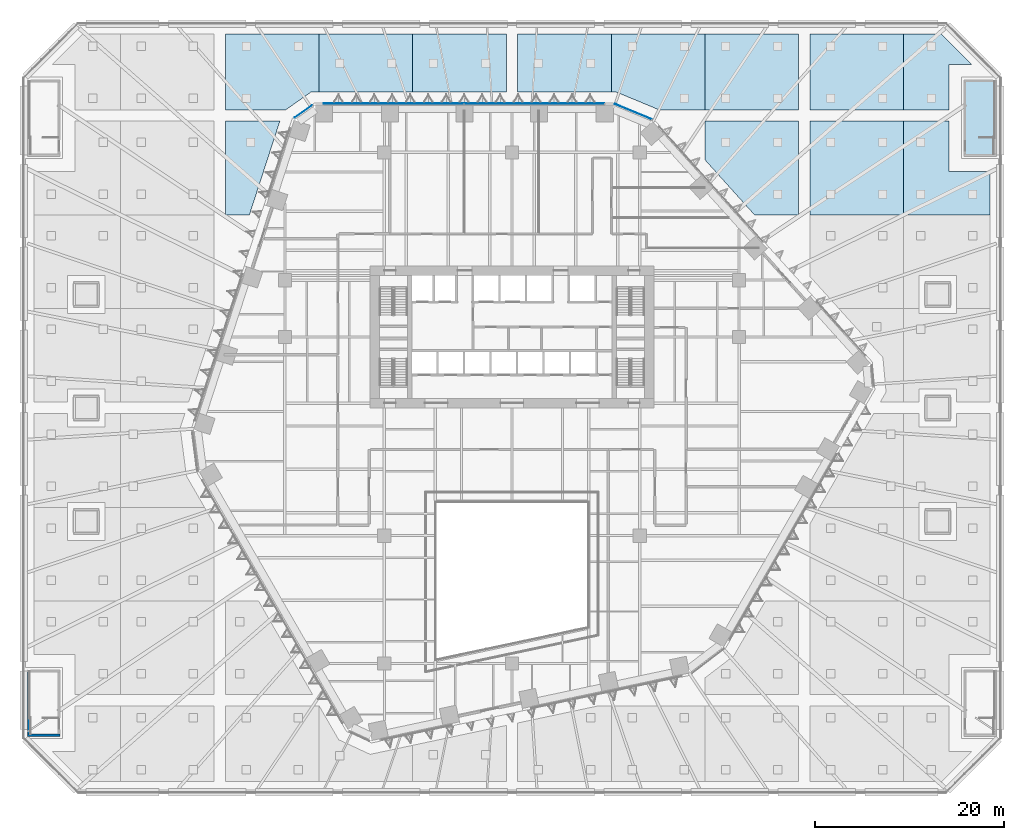
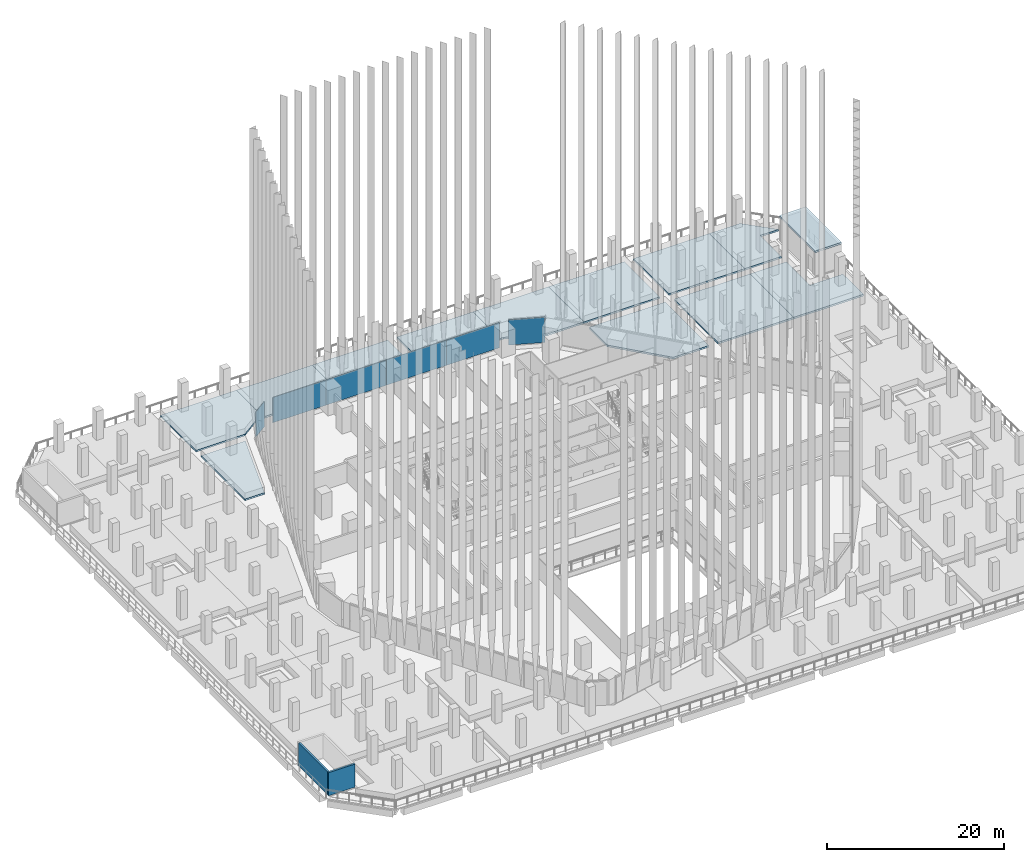
# One storey, part 23 of 51: 13 slabs, 6 plates, 2 walls, 3 elements without a shape of their own.
"""IFC4 building model written with IfcOpenShell, lengths in metres."""

from ifc_helpers import new_model, si_unit, direction, frame, frame_2d, origin, origin_2d, place, context, subcontext, project, spatial, polyline, rectangle, outline, extrude, material, layer, layer_set, type_object, element, aggregate, save


model = new_model("IFC4")

# Units and contexts
model_context = context("Model", 3, precision=1e-05, world=origin(), true_north=direction((0.0, 1.0)))
body_context = subcontext(model_context, "Body", "Model", "MODEL_VIEW")
ifc_project = project(units=[si_unit("LENGTHUNIT", "METRE"), si_unit("AREAUNIT", "SQUARE_METRE"), si_unit("VOLUMEUNIT", "CUBIC_METRE"), si_unit("PLANEANGLEUNIT", "RADIAN"), si_unit("MASSUNIT", "GRAM", prefix="KILO")], contexts=[model_context])

# Site, building, storey
site_placement = place(None, origin())
site = spatial("IfcSite", under=ifc_project, at=site_placement, CompositionType="ELEMENT")
building_placement = place(site_placement, origin())
building = spatial("IfcBuilding", under=site, at=building_placement, Name="Isthmus Gate Tower", CompositionType="ELEMENT")
storey_placement = place(building_placement, frame((0.0, 0.0, 36.0)))
storey = spatial("IfcBuildingStorey", under=building, at=storey_placement, Name="L06", CompositionType="ELEMENT", Elevation=36.0)

# Curtain wall, plates
ifc_material_1 = material(Name="Aluminium, pale champagne anodised", Category="aluminium")
ifc_layer_1 = layer(ifc_material_1, 0.199951171875)
ifc_layer_set_1 = layer_set([ifc_layer_1], Name="CW-1 UNITISED CURTAIN WALL 200 DEEP")
curtain_wall_type = type_object("IfcCurtainWallType", Name="CW-1 UNITISED CURTAIN WALL 200 DEEP", PredefinedType="NOTDEFINED", material=ifc_layer_set_1)
curtain_wall_1_placement = place(storey_placement, origin())
curtain_wall_1 = element("IfcCurtainWall", 1, at=curtain_wall_1_placement, inside=storey, type_object=curtain_wall_type, Name="CW-1 N L06", PredefinedType="NOTDEFINED")
ifc_material_2 = material(Name="Laminated low-iron glass, pale blue tint", Category="glass")
ifc_layer_2 = layer(ifc_material_2, 0.0400390625)
ifc_layer_set_2 = layer_set([ifc_layer_2], Name="CW-1 CLEAR GLASS LITE 40")
plate_type = type_object("IfcPlateType", Name="CW-1 CLEAR GLASS LITE 40", PredefinedType="CURTAIN_PANEL", material=ifc_layer_set_2)
plate_1_placement = place(storey_placement, frame((6.287109375, 32.179931640625, 0.0), z_axis=(0.0, 0.0, 1.0), x_axis=(-1.0, 0.0, 0.0)))
plate_1 = element("IfcPlate", 2, at=plate_1_placement, type_object=plate_type, Name="CW-1 glass lite", PredefinedType="CURTAIN_PANEL", context=body_context, shape_type="SweptSolid", body=[
    extrude(rectangle(XDim=6.909423828125, YDim=0.0400390625, at=origin_2d()), origin(), (0.0, 0.0, 1.0), 3.5),
])
plate_2_placement = place(storey_placement, frame((-1.1025390625, 32.179931640625, 0.0), z_axis=(0.0, 0.0, 1.0), x_axis=(-1.0, 0.0, 0.0)))
plate_2 = element("IfcPlate", 3, at=plate_2_placement, type_object=plate_type, Name="CW-1 glass lite", PredefinedType="CURTAIN_PANEL", context=body_context, shape_type="SweptSolid", body=[
    extrude(rectangle(XDim=7.86962890625, YDim=0.0400390625, at=origin_2d()), origin(), (0.0, 0.0, 1.0), 3.5),
])
plate_3_placement = place(storey_placement, frame((-9.001953125, 32.179931640625, 0.0), z_axis=(0.0, 0.0, 1.0), x_axis=(-1.0, 0.0, 0.0)))
plate_3 = element("IfcPlate", 4, at=plate_3_placement, type_object=plate_type, Name="CW-1 glass lite", PredefinedType="CURTAIN_PANEL", context=body_context, shape_type="SweptSolid", body=[
    extrude(rectangle(XDim=7.8095703125, YDim=0.0400390625, at=origin_2d()), origin(), (0.0, 0.0, 1.0), 3.5),
])
plate_4_placement = place(storey_placement, frame((-16.391357421875, 32.179931640625, 0.0), z_axis=(0.0, 0.0, 1.0), x_axis=(-1.0, 0.0, 0.0)))
plate_4 = element("IfcPlate", 5, at=plate_4_placement, type_object=plate_type, Name="CW-1 glass lite", PredefinedType="CURTAIN_PANEL", context=body_context, shape_type="SweptSolid", body=[
    extrude(rectangle(XDim=6.969482421875, YDim=0.0400390625, at=origin_2d()), origin(), (0.0, 0.0, 1.0), 3.5),
])
aggregate(curtain_wall_1, [plate_1, plate_2, plate_3, plate_4])

# Curtain wall, plate
curtain_wall_2_placement = place(storey_placement, origin())
curtain_wall_2 = element("IfcCurtainWall", 6, at=curtain_wall_2_placement, inside=storey, type_object=curtain_wall_type, Name="CW-1 N-NW L06", PredefinedType="NOTDEFINED")
plate_5_placement = place(storey_placement, frame((-22.025146484375, 31.341552734375, 0.0), z_axis=(0.0, 0.0, 1.0), x_axis=(-0.81785959165, -0.57541783805, 0.0)))
plate_5 = element("IfcPlate", 7, at=plate_5_placement, type_object=plate_type, Name="CW-1 glass lite", PredefinedType="CURTAIN_PANEL", context=body_context, shape_type="SweptSolid", body=[
    extrude(rectangle(XDim=2.258544921875, YDim=0.0400390625, at=origin_2d()), origin(), (0.0, 0.0, 1.0), 3.5),
])
aggregate(curtain_wall_2, [plate_5])

curtain_wall_3_placement = place(storey_placement, origin())
curtain_wall_3 = element("IfcCurtainWall", 8, at=curtain_wall_3_placement, inside=storey, type_object=curtain_wall_type, Name="CW-1 NE-N L06", PredefinedType="NOTDEFINED")
plate_6_placement = place(storey_placement, frame((12.816650390625, 31.315673828125, 0.0), z_axis=(0.0, 0.0, 1.0), x_axis=(-0.923353128387, 0.383951820282, 0.0)))
plate_6 = element("IfcPlate", 9, at=plate_6_placement, type_object=plate_type, Name="CW-1 glass lite", PredefinedType="CURTAIN_PANEL", context=body_context, shape_type="SweptSolid", body=[
    extrude(rectangle(XDim=4.181396484375, YDim=0.0400390625, at=origin_2d()), origin(), (0.0, 0.0, 1.0), 3.5),
])
aggregate(curtain_wall_3, [plate_6])

# Slabs
ifc_material_3 = material(Name="Concrete f'c 40 MPa", Category="concrete")
ifc_layer_3 = layer(ifc_material_3, 0.25)
ifc_layer_set_3 = layer_set([ifc_layer_3], Name="Head-house roof slab 250")
slab_type_1 = type_object("IfcSlabType", Name="Head-house roof slab 250", PredefinedType="ROOF", material=ifc_layer_set_3)
slab_1_placement = place(storey_placement, frame((0.0, 0.0, 3.199951171875)))
element("IfcSlab", 10, at=slab_1_placement, inside=storey, type_object=slab_type_1, Name="Stair head-house roof", PredefinedType="ROOF", context=body_context, shape_type="SweptSolid", body=[
    extrude(outline(polyline([(47.75, 26.574951171875), (51.199951171875, 26.574951171875), (51.199951171875, 34.675048828125), (47.75, 34.675048828125), (47.75, 26.574951171875)])), origin(), (0.0, 0.0, 1.0), 0.25),
])
ifc_material_4 = material(Name="Concrete f'c 40 MPa", Category="concrete")
ifc_layer_4 = layer(ifc_material_4, 0.25)
ifc_layer_set_4 = layer_set([ifc_layer_4], Name="PLANTING BED BASE SLAB 250")
slab_type_2 = type_object("IfcSlabType", Name="PLANTING BED BASE SLAB 250", PredefinedType="FLOOR", material=ifc_layer_set_4)
slab_2_placement = place(storey_placement, origin())
element("IfcSlab", 11, at=slab_2_placement, inside=storey, type_object=slab_type_2, Name="PLANTING BED BASE", PredefinedType="FLOOR", context=body_context, shape_type="SweptSolid", body=[
    extrude(outline(polyline([(-30.300048828125, 20.39990234375), (-27.755126953125, 20.39990234375), (-24.53857421875, 30.300048828125), (-30.300048828125, 30.300048828125), (-30.300048828125, 20.39990234375)])), origin(), (0.0, 0.0, 1.0), 0.25),
])
slab_3_placement = place(storey_placement, origin())
element("IfcSlab", 12, at=slab_3_placement, inside=storey, type_object=slab_type_2, Name="PLANTING BED BASE", PredefinedType="FLOOR", context=body_context, shape_type="SweptSolid", body=[
    extrude(outline(polyline([(-20.39990234375, 33.39990234375), (-20.39990234375, 39.5), (-30.300048828125, 39.5), (-30.300048828125, 31.5), (-23.919921875, 31.5), (-21.219482421875, 33.39990234375), (-20.39990234375, 33.39990234375)])), origin(), (0.0, 0.0, 1.0), 0.25),
])
slab_4_placement = place(storey_placement, origin())
element("IfcSlab", 13, at=slab_4_placement, inside=storey, type_object=slab_type_2, Name="PLANTING BED BASE", PredefinedType="FLOOR", context=body_context, shape_type="SweptSolid", body=[
    extrude(outline(polyline([(-10.5, 33.39990234375), (-10.5, 39.5), (-20.39990234375, 39.5), (-20.39990234375, 33.39990234375), (-10.5, 33.39990234375)])), origin(), (0.0, 0.0, 1.0), 0.25),
])
slab_5_placement = place(storey_placement, origin())
element("IfcSlab", 14, at=slab_5_placement, inside=storey, type_object=slab_type_2, Name="PLANTING BED BASE", PredefinedType="FLOOR", context=body_context, shape_type="SweptSolid", body=[
    extrude(outline(polyline([(-0.60009765625, 33.39990234375), (-0.60009765625, 39.5), (-10.5, 39.5), (-10.5, 33.39990234375), (-0.60009765625, 33.39990234375)])), origin(), (0.0, 0.0, 1.0), 0.25),
])
slab_6_placement = place(storey_placement, origin())
element("IfcSlab", 15, at=slab_6_placement, inside=storey, type_object=slab_type_2, Name="PLANTING BED BASE", PredefinedType="FLOOR", context=body_context, shape_type="SweptSolid", body=[
    extrude(outline(polyline([(10.5, 33.39990234375), (10.5, 39.5), (0.60009765625, 39.5), (0.60009765625, 33.39990234375), (10.5, 33.39990234375)])), origin(), (0.0, 0.0, 1.0), 0.25),
])
slab_7_placement = place(storey_placement, origin())
element("IfcSlab", 16, at=slab_7_placement, inside=storey, type_object=slab_type_2, Name="PLANTING BED BASE", PredefinedType="FLOOR", context=body_context, shape_type="SweptSolid", body=[
    extrude(outline(polyline([(20.39990234375, 31.5), (20.39990234375, 39.5), (10.5, 39.5), (10.5, 33.39990234375), (10.9814453125, 33.39990234375), (15.550537109375, 31.5), (20.39990234375, 31.5)])), origin(), (0.0, 0.0, 1.0), 0.25),
])
slab_8_placement = place(storey_placement, origin())
element("IfcSlab", 17, at=slab_8_placement, inside=storey, type_object=slab_type_2, Name="PLANTING BED BASE", PredefinedType="FLOOR", context=body_context, shape_type="SweptSolid", body=[
    extrude(outline(polyline([(30.300048828125, 31.5), (30.300048828125, 39.5), (20.39990234375, 39.5), (20.39990234375, 31.5), (30.300048828125, 31.5)])), origin(), (0.0, 0.0, 1.0), 0.25),
])
slab_9_placement = place(storey_placement, origin())
element("IfcSlab", 18, at=slab_9_placement, inside=storey, type_object=slab_type_2, Name="PLANTING BED BASE", PredefinedType="FLOOR", context=body_context, shape_type="SweptSolid", body=[
    extrude(outline(polyline([(20.39990234375, 30.300048828125), (20.39990234375, 26.2138671875), (25.635009765625, 20.39990234375), (30.300048828125, 20.39990234375), (30.300048828125, 30.300048828125), (20.39990234375, 30.300048828125)])), origin(), (0.0, 0.0, 1.0), 0.25),
])
slab_10_placement = place(storey_placement, origin())
element("IfcSlab", 19, at=slab_10_placement, inside=storey, type_object=slab_type_2, Name="PLANTING BED BASE", PredefinedType="FLOOR", context=body_context, shape_type="SweptSolid", body=[
    extrude(outline(polyline([(31.5, 20.39990234375), (41.39990234375, 20.39990234375), (41.39990234375, 30.300048828125), (31.5, 30.300048828125), (31.5, 20.39990234375)])), origin(), (0.0, 0.0, 1.0), 0.25),
])
slab_11_placement = place(storey_placement, origin())
element("IfcSlab", 20, at=slab_11_placement, inside=storey, type_object=slab_type_2, Name="PLANTING BED BASE", PredefinedType="FLOOR", context=body_context, shape_type="SweptSolid", body=[
    extrude(outline(polyline([(41.39990234375, 31.5), (41.39990234375, 39.5), (31.5, 39.5), (31.5, 31.5), (41.39990234375, 31.5)])), origin(), (0.0, 0.0, 1.0), 0.25),
])
slab_12_placement = place(storey_placement, origin())
element("IfcSlab", 21, at=slab_12_placement, inside=storey, type_object=slab_type_2, Name="PLANTING BED BASE", PredefinedType="FLOOR", context=body_context, shape_type="SweptSolid", body=[
    extrude(outline(polyline([(41.39990234375, 31.5), (46.175048828125, 31.5), (46.175048828125, 36.300048828125), (48.57861328125, 36.300048828125), (45.378662109375, 39.5), (41.39990234375, 39.5), (41.39990234375, 31.5)])), origin(), (0.0, 0.0, 1.0), 0.25),
])
slab_13_placement = place(storey_placement, origin())
element("IfcSlab", 22, at=slab_13_placement, inside=storey, type_object=slab_type_2, Name="PLANTING BED BASE", PredefinedType="FLOOR", context=body_context, shape_type="SweptSolid", body=[
    extrude(outline(polyline([(41.39990234375, 20.39990234375), (50.5, 20.39990234375), (50.5, 25.0), (46.175048828125, 25.0), (46.175048828125, 30.300048828125), (41.39990234375, 30.300048828125), (41.39990234375, 20.39990234375)])), origin(), (0.0, 0.0, 1.0), 0.25),
])

# Walls
ifc_material_5 = material(Name="Concrete f'c 40 MPa", Category="concrete")
ifc_layer_5 = layer(ifc_material_5, 0.25)
ifc_layer_set_5 = layer_set([ifc_layer_5])
wall_type = type_object("IfcWallType", Name="Stair shaft wall 250 reinforced concrete", PredefinedType="SHEAR", material=ifc_layer_set_5)
wall_1_placement = place(storey_placement, frame((-51.199951171875, -34.60009765625, 0.0), z_axis=(0.0, 0.0, 1.0), x_axis=(1.0, 0.0, 0.0)))
element("IfcWall", 23, at=wall_1_placement, inside=storey, type_object=wall_type, Name="Stair head-house wall", PredefinedType="SHEAR", context=body_context, shape_type="SweptSolid", body=[
    extrude(rectangle(XDim=3.449951171875, YDim=0.25, at=frame_2d((1.72509765625, 0.0))), origin(), (0.0, 0.0, 1.0), 3.199951171875),
])
wall_2_placement = place(storey_placement, frame((-51.074951171875, -34.47509765625, 0.0), z_axis=(0.0, 0.0, 1.0), x_axis=(0.0, 1.0, 0.0)))
element("IfcWall", 24, at=wall_2_placement, inside=storey, type_object=wall_type, Name="Stair head-house wall", PredefinedType="SHEAR", context=body_context, shape_type="SweptSolid", body=[
    extrude(rectangle(XDim=6.546142578125, YDim=0.25, at=frame_2d((3.27294921875, 0.0))), origin(), (0.0, 0.0, 1.0), 3.199951171875),
])

save(model, "model.ifc")
